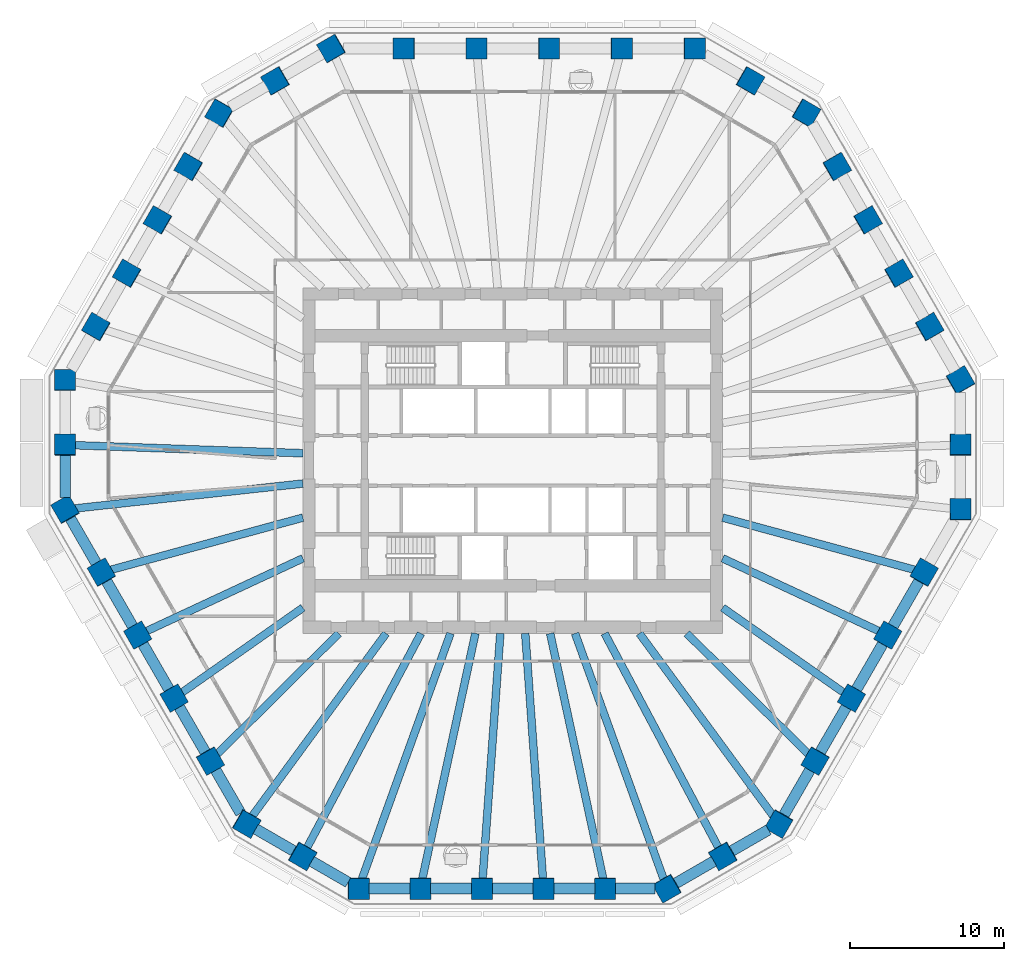
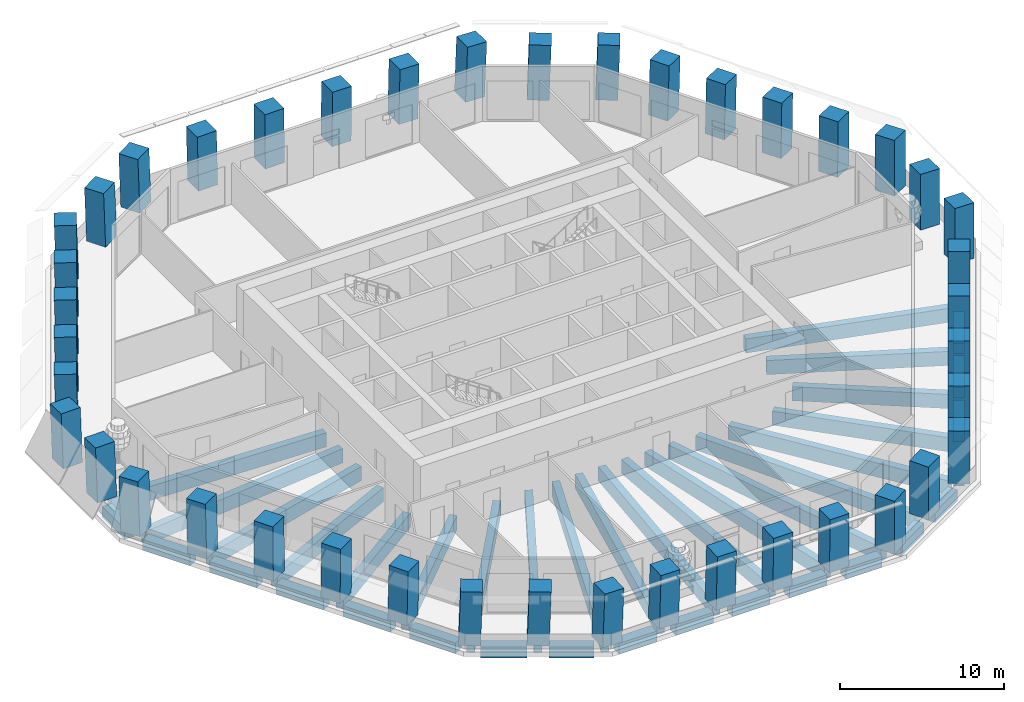
# One storey, part 1 of 13: 42 columns, 39 beams.
"""IFC4 building model written with IfcOpenShell, lengths in metres."""

from ifc_helpers import new_model, si_unit, direction, frame, origin, origin_2d, place, context, subcontext, project, spatial, rectangle, extrude, material, material_profile, profile_set, type_object, element, save


model = new_model("IFC4")

# Units and contexts
model_context = context("Model", 3, precision=1e-05, world=origin(), true_north=direction((0.0, 1.0)))
body_context = subcontext(model_context, "Body", "Model", "MODEL_VIEW")
ifc_project = project(units=[si_unit("LENGTHUNIT", "METRE"), si_unit("AREAUNIT", "SQUARE_METRE"), si_unit("VOLUMEUNIT", "CUBIC_METRE"), si_unit("PLANEANGLEUNIT", "RADIAN"), si_unit("MASSUNIT", "GRAM", prefix="KILO")], contexts=[model_context])

# Site, building, storey
site_placement = place(None, origin())
site = spatial("IfcSite", under=ifc_project, at=site_placement, CompositionType="ELEMENT")
building_placement = place(site_placement, origin())
building = spatial("IfcBuilding", under=site, at=building_placement, Name="Frailejon Research Tower", CompositionType="ELEMENT")
storey_placement = place(building_placement, frame((0.0, 0.0, 113.199951171875)))
storey = spatial("IfcBuildingStorey", under=building, at=storey_placement, Name="L24", CompositionType="ELEMENT", Elevation=113.199951171875)

# Columns
ifc_material_1 = material(Name="Concrete C70/85", Category="concrete")
ifc_material_profile_1 = material_profile(ifc_material_1, rectangle(XDim=1.35009765625, YDim=1.35009765625, at=origin_2d()), Name="Column 1350")
ifc_profile_set_1 = profile_set([ifc_material_profile_1], Name="Concrete C70/85")
column_type = type_object("IfcColumnType", Name="Column 1350", PredefinedType="COLUMN", material=ifc_profile_set_1)
for number, where, z_axis, x_axis, name in (
    (1, (29.000732421875, -3.16943359375, 0.0), (0.018132595726, 0.031445896907, 0.999340965106), (-0.000852885111, 0.999505415626, -0.031435596392), "Column C01"),
    (2, (29.000732421875, 1.018310546875, 0.0), (0.018132630042, 0.031385715123, 0.999342856388), (-2.2275817e-05, 0.999507197449, -0.031390472292), "Column C02"),
    (3, (29.000732421875, 5.205810546875, 0.0), (0.018132630042, 0.031385715123, 0.999342856388), (-0.499938597704, 0.865871218169, -0.018122694964), "Column C03"),
):
    element("IfcColumn", number, at=place(storey_placement, frame(where, z_axis=z_axis, x_axis=x_axis)), inside=storey, type_object=column_type, Name=name, PredefinedType="COLUMN", context=body_context, shape_type="SweptSolid", body=[
        extrude(rectangle(XDim=1.35009765625, YDim=1.35009765625, at=origin_2d()), origin(), (0.0, 0.0, 1.0), 4.052734375),
    ])
column_1_placement = place(storey_placement, frame((27.002197265625, 8.6669921875, 0.0), z_axis=(0.021809609218, 0.025123223878, 0.999446429063), x_axis=(-0.499316957517, 0.86635106376, -0.010881647777)))
element("IfcColumn", 4, at=column_1_placement, inside=storey, type_object=column_type, Name="Column C04", PredefinedType="COLUMN", context=body_context, shape_type="SweptSolid", body=[
    extrude(rectangle(XDim=1.35009765625, YDim=1.35009765625, at=origin_2d()), origin(), (0.0, 0.0, 1.0), 4.05224609375),
])
for number, where, z_axis, x_axis, name in (
    (5, (25.00390625, 12.12841796875, 0.0), (0.025365582388, 0.018858497119, 0.999500347332), (-0.500321526885, 0.865832042738, -0.003639162491), "Column C05"),
    (6, (23.005615234375, 15.58984375, 0.0), (0.028980660531, 0.012532177527, 0.999501408624), (-0.499450496938, 0.866334867635, 0.003619147421), "Column C06"),
):
    element("IfcColumn", number, at=place(storey_placement, frame(where, z_axis=z_axis, x_axis=x_axis)), inside=storey, type_object=column_type, Name=name, PredefinedType="COLUMN", context=body_context, shape_type="SweptSolid", body=[
        extrude(rectangle(XDim=1.35009765625, YDim=1.35009765625, at=origin_2d()), origin(), (0.0, 0.0, 1.0), 4.052001953125),
    ])
column_2_placement = place(storey_placement, frame((21.007080078125, 19.051025390625, 0.0), z_axis=(0.032654174822, 0.006325993277, 0.999446690262), x_axis=(-0.500478631698, 0.865680616164, 0.010872442804)))
element("IfcColumn", 7, at=column_2_placement, inside=storey, type_object=column_type, Name="Column C07", PredefinedType="COLUMN", context=body_context, shape_type="SweptSolid", body=[
    extrude(rectangle(XDim=1.35009765625, YDim=1.35009765625, at=origin_2d()), origin(), (0.0, 0.0, 1.0), 4.05224609375),
])
for number, where, z_axis, x_axis, name in (
    (8, (19.0087890625, 22.512451171875, 0.0), (0.036205074038, 0.0, 0.999344381389), (-0.865315435316, 0.500246354177, 0.031349362627), "Column C08"),
    (9, (15.382080078125, 24.606201171875, 0.0), (0.036265236264, 0.0, 0.999342199969), (-0.865313546461, 0.500246354177, 0.031401456084), "Column C09"),
    (10, (11.755615234375, 26.699951171875, 0.0), (0.036265236264, 0.0, 0.999342199969), (-0.999342199969, 0.0, 0.036265236264), "Column C10"),
):
    element("IfcColumn", number, at=place(storey_placement, frame(where, z_axis=z_axis, x_axis=x_axis)), inside=storey, type_object=column_type, Name=name, PredefinedType="COLUMN", context=body_context, shape_type="SweptSolid", body=[
        extrude(rectangle(XDim=1.35009765625, YDim=1.35009765625, at=origin_2d()), origin(), (0.0, 0.0, 1.0), 4.052734375),
    ])
column_3_placement = place(storey_placement, frame((7.053466796875, 26.699951171875, 0.0), z_axis=(0.021756257337, 0.0, 0.999763304621), x_axis=(-0.999763304621, 0.0, 0.021756257337)))
element("IfcColumn", 11, at=column_3_placement, inside=storey, type_object=column_type, Name="Column C11", PredefinedType="COLUMN", context=body_context, shape_type="SweptSolid", body=[
    extrude(rectangle(XDim=1.35009765625, YDim=1.35009765625, at=origin_2d()), origin(), (0.0, 0.0, 1.0), 4.051025390625),
])
for number, where, z_axis, x_axis, name in (
    (12, (2.35107421875, 26.699951171875, 0.0), (0.007293795973, 0.0, 0.999973399916), (-0.999973399916, 0.0, 0.007293795973), "Column C12"),
    (13, (-2.35107421875, 26.699951171875, 0.0), (-0.007293795973, 0.0, 0.999973399916), (-0.999973399916, 0.0, -0.007293795973), "Column C13"),
):
    element("IfcColumn", number, at=place(storey_placement, frame(where, z_axis=z_axis, x_axis=x_axis)), inside=storey, type_object=column_type, Name=name, PredefinedType="COLUMN", context=body_context, shape_type="SweptSolid", body=[
        extrude(rectangle(XDim=1.35009765625, YDim=1.35009765625, at=origin_2d()), origin(), (0.0, 0.0, 1.0), 4.050048828125),
    ])
column_4_placement = place(storey_placement, frame((-7.053466796875, 26.699951171875, 0.0), z_axis=(-0.021756257337, 0.0, 0.999763304621), x_axis=(-0.999763304621, 0.0, -0.021756257337)))
element("IfcColumn", 14, at=column_4_placement, inside=storey, type_object=column_type, Name="Column C14", PredefinedType="COLUMN", context=body_context, shape_type="SweptSolid", body=[
    extrude(rectangle(XDim=1.35009765625, YDim=1.35009765625, at=origin_2d()), origin(), (0.0, 0.0, 1.0), 4.051025390625),
])
for number, where, z_axis, x_axis, name in (
    (15, (-11.755615234375, 26.699951171875, 0.0), (-0.036265236264, 0.0, 0.999342199969), (-0.865313546461, -0.500246354177, -0.031401456084), "Column C15"),
    (16, (-15.382080078125, 24.606201171875, 0.0), (-0.036265236264, 0.0, 0.999342199969), (-0.865313546461, -0.500246354177, -0.031401456084), "Column C16"),
    (17, (-19.0087890625, 22.512451171875, 0.0), (-0.036205074038, 0.0, 0.999344381389), (-0.499425957592, -0.866167613071, -0.018093616283), "Column C17"),
):
    element("IfcColumn", number, at=place(storey_placement, frame(where, z_axis=z_axis, x_axis=x_axis)), inside=storey, type_object=column_type, Name=name, PredefinedType="COLUMN", context=body_context, shape_type="SweptSolid", body=[
        extrude(rectangle(XDim=1.35009765625, YDim=1.35009765625, at=origin_2d()), origin(), (0.0, 0.0, 1.0), 4.052734375),
    ])
column_5_placement = place(storey_placement, frame((-21.007080078125, 19.051025390625, 0.0), z_axis=(-0.032654174822, 0.006325993277, 0.999446690262), x_axis=(-0.500478631698, -0.865680616164, -0.010872442804)))
element("IfcColumn", 18, at=column_5_placement, inside=storey, type_object=column_type, Name="Column C18", PredefinedType="COLUMN", context=body_context, shape_type="SweptSolid", body=[
    extrude(rectangle(XDim=1.35009765625, YDim=1.35009765625, at=origin_2d()), origin(), (0.0, 0.0, 1.0), 4.05224609375),
])
for number, where, z_axis, x_axis, name in (
    (19, (-23.005615234375, 15.58984375, 0.0), (-0.028980660531, 0.012532177527, 0.999501408624), (-0.499450496938, -0.866334867635, -0.003619147421), "Column C19"),
    (20, (-25.00390625, 12.12841796875, 0.0), (-0.025365582388, 0.018858497119, 0.999500347332), (-0.500321526885, -0.865832042738, 0.003639162491), "Column C20"),
):
    element("IfcColumn", number, at=place(storey_placement, frame(where, z_axis=z_axis, x_axis=x_axis)), inside=storey, type_object=column_type, Name=name, PredefinedType="COLUMN", context=body_context, shape_type="SweptSolid", body=[
        extrude(rectangle(XDim=1.35009765625, YDim=1.35009765625, at=origin_2d()), origin(), (0.0, 0.0, 1.0), 4.052001953125),
    ])
column_6_placement = place(storey_placement, frame((-27.002197265625, 8.6669921875, 0.0), z_axis=(-0.021809609218, 0.025123223878, 0.999446429063), x_axis=(-0.499316957517, -0.86635106376, 0.010881647777)))
element("IfcColumn", 21, at=column_6_placement, inside=storey, type_object=column_type, Name="Column C21", PredefinedType="COLUMN", context=body_context, shape_type="SweptSolid", body=[
    extrude(rectangle(XDim=1.35009765625, YDim=1.35009765625, at=origin_2d()), origin(), (0.0, 0.0, 1.0), 4.05224609375),
])
for number, where, z_axis, x_axis, name in (
    (22, (-29.000732421875, 5.205810546875, 0.0), (-0.018132630042, 0.031385715123, 0.999342856388), (-2.2275817e-05, -0.999507197449, 0.031390472292), "Column C22"),
    (23, (-29.000732421875, 1.018310546875, 0.0), (-0.018132630042, 0.031385715123, 0.999342856388), (-2.2275817e-05, -0.999507197449, 0.031390472292), "Column C23"),
    (24, (-29.000732421875, -3.16943359375, 0.0), (-0.018132595726, 0.031445896907, 0.999340965106), (0.499425428362, -0.865596098728, 0.036299247542), "Column C24"),
):
    element("IfcColumn", number, at=place(storey_placement, frame(where, z_axis=z_axis, x_axis=x_axis)), inside=storey, type_object=column_type, Name=name, PredefinedType="COLUMN", context=body_context, shape_type="SweptSolid", body=[
        extrude(rectangle(XDim=1.35009765625, YDim=1.35009765625, at=origin_2d()), origin(), (0.0, 0.0, 1.0), 4.052734375),
    ])
column_7_placement = place(storey_placement, frame((-26.649658203125, -7.24169921875, 0.0), z_axis=(-0.010847994403, 0.018863456933, 0.999763217472), x_axis=(0.498562459177, -0.866580616749, 0.02176026136)))
element("IfcColumn", 25, at=column_7_placement, inside=storey, type_object=column_type, Name="Column C25", PredefinedType="COLUMN", context=body_context, shape_type="SweptSolid", body=[
    extrude(rectangle(XDim=1.35009765625, YDim=1.35009765625, at=origin_2d()), origin(), (0.0, 0.0, 1.0), 4.051025390625),
])
for number, where, z_axis, x_axis, name in (
    (26, (-24.29833984375, -11.31396484375, 0.0), (-0.003616758439, 0.006329327268, 0.999973428984), (0.495951477881, -0.868319636001, 0.00728980954), "Column C26"),
    (27, (-21.947265625, -15.385986328125, 0.0), (0.003616758439, -0.006329327268, 0.999973428984), (0.498304806076, -0.866971267835, -0.007289786695), "Column C27"),
):
    element("IfcColumn", number, at=place(storey_placement, frame(where, z_axis=z_axis, x_axis=x_axis)), inside=storey, type_object=column_type, Name=name, PredefinedType="COLUMN", context=body_context, shape_type="SweptSolid", body=[
        extrude(rectangle(XDim=1.35009765625, YDim=1.35009765625, at=origin_2d()), origin(), (0.0, 0.0, 1.0), 4.050048828125),
    ])
column_8_placement = place(storey_placement, frame((-19.59619140625, -19.45849609375, 0.0), z_axis=(0.010908253887, -0.018863444567, 0.99976256204), x_axis=(0.500638377412, -0.865382225109, -0.021790354016)))
element("IfcColumn", 28, at=column_8_placement, inside=storey, type_object=column_type, Name="Column C28", PredefinedType="COLUMN", context=body_context, shape_type="SweptSolid", body=[
    extrude(rectangle(XDim=1.35009765625, YDim=1.35009765625, at=origin_2d()), origin(), (0.0, 0.0, 1.0), 4.051025390625),
])
for number, where, z_axis, x_axis, name in (
    (29, (-17.2451171875, -23.530517578125, 0.0), (0.018132595726, -0.031445896907, 0.999340965106), (0.865469370655, -0.499974541214, -0.031436071558), "Column C29"),
    (30, (-13.618408203125, -25.62451171875, 0.0), (0.018132630042, -0.031385715123, 0.999342856388), (0.866156195426, -0.498787200508, -0.031381104725), "Column C30"),
    (31, (-9.991943359375, -27.71826171875, 0.0), (0.018132630042, -0.031385715123, 0.999342856388), (0.999835440934, 0.001115627466, -0.018106529978), "Column C31"),
):
    element("IfcColumn", number, at=place(storey_placement, frame(where, z_axis=z_axis, x_axis=x_axis)), inside=storey, type_object=column_type, Name=name, PredefinedType="COLUMN", context=body_context, shape_type="SweptSolid", body=[
        extrude(rectangle(XDim=1.35009765625, YDim=1.35009765625, at=origin_2d()), origin(), (0.0, 0.0, 1.0), 4.052734375),
    ])
column_9_placement = place(storey_placement, frame((-5.9951171875, -27.71826171875, 0.0), z_axis=(0.010844578562, -0.031389030172, 0.999448409824), x_axis=(0.999940901456, -0.000426521309, -0.010863317853)))
element("IfcColumn", 32, at=column_9_placement, inside=storey, type_object=column_type, Name="Column C32", PredefinedType="COLUMN", context=body_context, shape_type="SweptSolid", body=[
    extrude(rectangle(XDim=1.35009765625, YDim=1.35009765625, at=origin_2d()), origin(), (0.0, 0.0, 1.0), 4.05224609375),
])
for number, where, z_axis, x_axis, name in (
    (33, (-1.998291015625, -27.71826171875, 0.0), (0.00361504848, -0.031390670968, 0.999500653927), (0.999993330164, -0.00040689317, -0.003629609449), "Column C33"),
    (34, (1.998291015625, -27.71826171875, 0.0), (-0.00361504848, -0.031390670968, 0.999500653927), (0.999993330164, 0.00040689317, 0.003629609449), "Column C34"),
):
    element("IfcColumn", number, at=place(storey_placement, frame(where, z_axis=z_axis, x_axis=x_axis)), inside=storey, type_object=column_type, Name=name, PredefinedType="COLUMN", context=body_context, shape_type="SweptSolid", body=[
        extrude(rectangle(XDim=1.35009765625, YDim=1.35009765625, at=origin_2d()), origin(), (0.0, 0.0, 1.0), 4.052001953125),
    ])
column_10_placement = place(storey_placement, frame((5.9951171875, -27.71826171875, 0.0), z_axis=(-0.010844578562, -0.031389030172, 0.999448409824), x_axis=(0.999940901456, 0.000426521309, 0.010863317853)))
element("IfcColumn", 35, at=column_10_placement, inside=storey, type_object=column_type, Name="Column C35", PredefinedType="COLUMN", context=body_context, shape_type="SweptSolid", body=[
    extrude(rectangle(XDim=1.35009765625, YDim=1.35009765625, at=origin_2d()), origin(), (0.0, 0.0, 1.0), 4.05224609375),
])
for number, where, z_axis, x_axis, name in (
    (36, (9.991943359375, -27.71826171875, 0.0), (-0.018132630042, -0.031385715123, 0.999342856388), (0.866156195426, 0.498787200508, 0.031381104725), "Column C36"),
    (37, (13.618408203125, -25.62451171875, 0.0), (-0.018132630042, -0.031385715123, 0.999342856388), (0.866156195426, 0.498787200508, 0.031381104725), "Column C37"),
    (38, (17.2451171875, -23.530517578125, 0.0), (-0.018132595726, -0.031445896907, 0.999340965106), (0.498955201563, 0.865867236636, 0.036299247284), "Column C38"),
):
    element("IfcColumn", number, at=place(storey_placement, frame(where, z_axis=z_axis, x_axis=x_axis)), inside=storey, type_object=column_type, Name=name, PredefinedType="COLUMN", context=body_context, shape_type="SweptSolid", body=[
        extrude(rectangle(XDim=1.35009765625, YDim=1.35009765625, at=origin_2d()), origin(), (0.0, 0.0, 1.0), 4.052734375),
    ])
column_11_placement = place(storey_placement, frame((19.59619140625, -19.45849609375, 0.0), z_axis=(-0.010908253887, -0.018863444567, 0.99976256204), x_axis=(0.500638377412, 0.865382225109, 0.021790354016)))
element("IfcColumn", 39, at=column_11_placement, inside=storey, type_object=column_type, Name="Column C39", PredefinedType="COLUMN", context=body_context, shape_type="SweptSolid", body=[
    extrude(rectangle(XDim=1.35009765625, YDim=1.35009765625, at=origin_2d()), origin(), (0.0, 0.0, 1.0), 4.051025390625),
])
for number, where, z_axis, x_axis, name in (
    (40, (21.947265625, -15.385986328125, 0.0), (-0.003616758439, -0.006329327268, 0.999973428984), (0.498304806076, 0.866971267835, 0.007289786695), "Column C40"),
    (41, (24.29833984375, -11.31396484375, 0.0), (0.003616758439, 0.006329327268, 0.999973428984), (0.495951477881, 0.868319636001, -0.00728980954), "Column C41"),
):
    element("IfcColumn", number, at=place(storey_placement, frame(where, z_axis=z_axis, x_axis=x_axis)), inside=storey, type_object=column_type, Name=name, PredefinedType="COLUMN", context=body_context, shape_type="SweptSolid", body=[
        extrude(rectangle(XDim=1.35009765625, YDim=1.35009765625, at=origin_2d()), origin(), (0.0, 0.0, 1.0), 4.050048828125),
    ])
column_12_placement = place(storey_placement, frame((26.649658203125, -7.24169921875, 0.0), z_axis=(0.010847994403, 0.018863456933, 0.999763217472), x_axis=(0.498562459177, 0.866580616749, -0.02176026136)))
element("IfcColumn", 42, at=column_12_placement, inside=storey, type_object=column_type, Name="Column C42", PredefinedType="COLUMN", context=body_context, shape_type="SweptSolid", body=[
    extrude(rectangle(XDim=1.35009765625, YDim=1.35009765625, at=origin_2d()), origin(), (0.0, 0.0, 1.0), 4.051025390625),
])

# Beams
ifc_material_2 = material(Name="Concrete C60/75", Category="concrete")
ifc_material_profile_2 = material_profile(ifc_material_2, rectangle(XDim=0.5, YDim=1.050048828125, at=origin_2d()), Name="Girder 500x1050")
ifc_profile_set_2 = profile_set([ifc_material_profile_2], Name="Concrete C60/75")
beam_type_1 = type_object("IfcBeamType", Name="Girder 500x1050", PredefinedType="BEAM", material=ifc_profile_set_2)
beam_1_placement = place(storey_placement, frame((-28.4755859375, 0.999755859375, -0.824951171875), z_axis=(0.999384358315, -0.035084246552, 0.0), x_axis=(0.035084246552, 0.999384358315, 0.0)))
element("IfcBeam", 43, at=beam_1_placement, inside=storey, type_object=beam_type_1, Name="Girder 500x1050", PredefinedType="BEAM", context=body_context, shape_type="SweptSolid", body=[
    extrude(rectangle(XDim=0.5, YDim=1.050048828125, at=origin_2d()), origin(), (0.0, 0.0, 1.0), 14.884765625),
])
beam_2_placement = place(storey_placement, frame((-28.41650390625, -3.105712890625, -0.824951171875), z_axis=(0.994080098193, 0.108649704906, 0.0), x_axis=(-0.108649704906, 0.994080098193, 0.0)))
element("IfcBeam", 44, at=beam_2_placement, inside=storey, type_object=beam_type_1, Name="Girder 500x1050", PredefinedType="BEAM", context=body_context, shape_type="SweptSolid", body=[
    extrude(rectangle(XDim=0.5, YDim=1.050048828125, at=origin_2d()), origin(), (0.0, 0.0, 1.0), 14.904541015625),
])
beam_3_placement = place(storey_placement, frame((-26.12060546875, -7.097900390625, -0.824951171875), z_axis=(0.965004850121, 0.262232033213, 0.0), x_axis=(-0.262232033213, 0.965004850121, 0.0)))
element("IfcBeam", 45, at=beam_3_placement, inside=storey, type_object=beam_type_1, Name="Girder 500x1050", PredefinedType="BEAM", context=body_context, shape_type="SweptSolid", body=[
    extrude(rectangle(XDim=0.5, YDim=1.050048828125, at=origin_2d()), origin(), (0.0, 0.0, 1.0), 12.974609375),
])
beam_4_placement = place(storey_placement, frame((-23.820068359375, -11.09130859375, -0.824951171875), z_axis=(0.906540771237, 0.42211826552, 0.0), x_axis=(-0.42211826552, 0.906540771237, 0.0)))
element("IfcBeam", 46, at=beam_4_placement, inside=storey, type_object=beam_type_1, Name="Girder 500x1050", PredefinedType="BEAM", context=body_context, shape_type="SweptSolid", body=[
    extrude(rectangle(XDim=0.5, YDim=1.050048828125, at=origin_2d()), origin(), (0.0, 0.0, 1.0), 11.273681640625),
])
beam_5_placement = place(storey_placement, frame((-21.515380859375, -15.083251953125, -0.824951171875), z_axis=(0.818824736677, 0.574043596433, 0.0), x_axis=(-0.574043596433, 0.818824736677, 0.0)))
element("IfcBeam", 47, at=beam_5_placement, inside=storey, type_object=beam_type_1, Name="Girder 500x1050", PredefinedType="BEAM", context=body_context, shape_type="SweptSolid", body=[
    extrude(rectangle(XDim=0.5, YDim=1.050048828125, at=origin_2d()), origin(), (0.0, 0.0, 1.0), 9.666748046875),
])
beam_6_placement = place(storey_placement, frame((-19.207275390625, -19.072265625, -0.824951171875), z_axis=(0.709593498337, 0.704611287958, 0.0), x_axis=(-0.704611287958, 0.709593498337, 0.0)))
element("IfcBeam", 48, at=beam_6_placement, inside=storey, type_object=beam_type_1, Name="Girder 500x1050", PredefinedType="BEAM", context=body_context, shape_type="SweptSolid", body=[
    extrude(rectangle(XDim=0.5, YDim=1.050048828125, at=origin_2d()), origin(), (0.0, 0.0, 1.0), 11.172607421875),
])
beam_7_placement = place(storey_placement, frame((-16.932373046875, -23.10400390625, -0.824951171875), z_axis=(0.591120523148, 0.806583242519, 0.0), x_axis=(-0.806583242519, 0.591120523148, 0.0)))
element("IfcBeam", 49, at=beam_7_placement, inside=storey, type_object=beam_type_1, Name="Girder 500x1050", PredefinedType="BEAM", context=body_context, shape_type="SweptSolid", body=[
    extrude(rectangle(XDim=0.5, YDim=1.050048828125, at=origin_2d()), origin(), (0.0, 0.0, 1.0), 14.758544921875),
])
beam_8_placement = place(storey_placement, frame((-13.371826171875, -25.160400390625, -0.824951171875), z_axis=(0.469300495278, 0.883038529812, 0.0), x_axis=(-0.883038529812, 0.469300495278, 0.0)))
element("IfcBeam", 50, at=beam_8_placement, inside=storey, type_object=beam_type_1, Name="Girder 500x1050", PredefinedType="BEAM", context=body_context, shape_type="SweptSolid", body=[
    extrude(rectangle(XDim=0.5, YDim=1.050048828125, at=origin_2d()), origin(), (0.0, 0.0, 1.0), 15.8095703125),
])
beam_9_placement = place(storey_placement, frame((-9.799560546875, -27.184326171875, -0.824951171875), z_axis=(0.339127496275, 0.940740421833, 0.0), x_axis=(-0.940740421833, 0.339127496275, 0.0)))
element("IfcBeam", 51, at=beam_9_placement, inside=storey, type_object=beam_type_1, Name="Girder 500x1050", PredefinedType="BEAM", context=body_context, shape_type="SweptSolid", body=[
    extrude(rectangle(XDim=0.5, YDim=1.050048828125, at=origin_2d()), origin(), (0.0, 0.0, 1.0), 16.9912109375),
])
beam_10_placement = place(storey_placement, frame((-5.880859375, -27.189697265625, -0.824951171875), z_axis=(0.21139174684, 0.9774014167, 0.0), x_axis=(-0.9774014167, 0.21139174684, 0.0)))
element("IfcBeam", 52, at=beam_10_placement, inside=storey, type_object=beam_type_1, Name="Girder 500x1050", PredefinedType="BEAM", context=body_context, shape_type="SweptSolid", body=[
    extrude(rectangle(XDim=0.5, YDim=1.050048828125, at=origin_2d()), origin(), (0.0, 0.0, 1.0), 16.359375),
])
for number, where, z_axis, x_axis, name in (
    (53, (-1.96044921875, -27.19287109375, -0.824951171875), (0.071897348954, 0.99741203683, 0.0), (-0.99741203683, 0.071897348954, 0.0), "Girder 500x1050"),
    (54, (1.96044921875, -27.19287109375, -0.824951171875), (-0.071897348954, 0.99741203683, 0.0), (-0.99741203683, -0.071897348954, 0.0), "Girder 500x1050"),
):
    element("IfcBeam", number, at=place(storey_placement, frame(where, z_axis=z_axis, x_axis=x_axis)), inside=storey, type_object=beam_type_1, Name=name, PredefinedType="BEAM", context=body_context, shape_type="SweptSolid", body=[
        extrude(rectangle(XDim=0.5, YDim=1.050048828125, at=origin_2d()), origin(), (0.0, 0.0, 1.0), 16.034423828125),
    ])
beam_11_placement = place(storey_placement, frame((5.880859375, -27.189697265625, -0.824951171875), z_axis=(-0.21139174684, 0.9774014167, 0.0), x_axis=(-0.9774014167, -0.21139174684, 0.0)))
element("IfcBeam", 55, at=beam_11_placement, inside=storey, type_object=beam_type_1, Name="Girder 500x1050", PredefinedType="BEAM", context=body_context, shape_type="SweptSolid", body=[
    extrude(rectangle(XDim=0.5, YDim=1.050048828125, at=origin_2d()), origin(), (0.0, 0.0, 1.0), 16.359375),
])
beam_12_placement = place(storey_placement, frame((9.810302734375, -27.214111328125, -0.824951171875), z_axis=(-0.339127752946, 0.940740329305, 0.0), x_axis=(-0.940740329305, -0.339127752946, 0.0)))
element("IfcBeam", 56, at=beam_12_placement, inside=storey, type_object=beam_type_1, Name="Girder 500x1050", PredefinedType="BEAM", context=body_context, shape_type="SweptSolid", body=[
    extrude(rectangle(XDim=0.5, YDim=1.050048828125, at=origin_2d()), origin(), (0.0, 0.0, 1.0), 17.02294921875),
])
beam_13_placement = place(storey_placement, frame((13.371826171875, -25.160400390625, -0.824951171875), z_axis=(-0.469300495278, 0.883038529812, 0.0), x_axis=(-0.883038529812, -0.469300495278, 0.0)))
element("IfcBeam", 57, at=beam_13_placement, inside=storey, type_object=beam_type_1, Name="Girder 500x1050", PredefinedType="BEAM", context=body_context, shape_type="SweptSolid", body=[
    extrude(rectangle(XDim=0.5, YDim=1.050048828125, at=origin_2d()), origin(), (0.0, 0.0, 1.0), 15.8095703125),
])
beam_14_placement = place(storey_placement, frame((16.897705078125, -23.056640625, -0.824951171875), z_axis=(-0.591122432891, 0.806581842923, 0.0), x_axis=(-0.806581842923, -0.591122432891, 0.0)))
element("IfcBeam", 58, at=beam_14_placement, inside=storey, type_object=beam_type_1, Name="Girder 500x1050", PredefinedType="BEAM", context=body_context, shape_type="SweptSolid", body=[
    extrude(rectangle(XDim=0.5, YDim=1.050048828125, at=origin_2d()), origin(), (0.0, 0.0, 1.0), 14.699951171875),
])
beam_15_placement = place(storey_placement, frame((19.207275390625, -19.072265625, -0.824951171875), z_axis=(-0.709593498337, 0.704611287958, 0.0), x_axis=(-0.704611287958, -0.709593498337, 0.0)))
element("IfcBeam", 59, at=beam_15_placement, inside=storey, type_object=beam_type_1, Name="Girder 500x1050", PredefinedType="BEAM", context=body_context, shape_type="SweptSolid", body=[
    extrude(rectangle(XDim=0.5, YDim=1.050048828125, at=origin_2d()), origin(), (0.0, 0.0, 1.0), 11.172607421875),
])
beam_16_placement = place(storey_placement, frame((21.515380859375, -15.083251953125, -0.824951171875), z_axis=(-0.818824736677, 0.574043596433, 0.0), x_axis=(-0.574043596433, -0.818824736677, 0.0)))
element("IfcBeam", 60, at=beam_16_placement, inside=storey, type_object=beam_type_1, Name="Girder 500x1050", PredefinedType="BEAM", context=body_context, shape_type="SweptSolid", body=[
    extrude(rectangle(XDim=0.5, YDim=1.050048828125, at=origin_2d()), origin(), (0.0, 0.0, 1.0), 9.666748046875),
])
beam_17_placement = place(storey_placement, frame((23.820068359375, -11.09130859375, -0.824951171875), z_axis=(-0.906540771237, 0.42211826552, 0.0), x_axis=(-0.42211826552, -0.906540771237, 0.0)))
element("IfcBeam", 61, at=beam_17_placement, inside=storey, type_object=beam_type_1, Name="Girder 500x1050", PredefinedType="BEAM", context=body_context, shape_type="SweptSolid", body=[
    extrude(rectangle(XDim=0.5, YDim=1.050048828125, at=origin_2d()), origin(), (0.0, 0.0, 1.0), 11.273681640625),
])
beam_18_placement = place(storey_placement, frame((26.12060546875, -7.097900390625, -0.824951171875), z_axis=(-0.965004850121, 0.262232033213, 0.0), x_axis=(-0.262232033213, -0.965004850121, 0.0)))
element("IfcBeam", 62, at=beam_18_placement, inside=storey, type_object=beam_type_1, Name="Girder 500x1050", PredefinedType="BEAM", context=body_context, shape_type="SweptSolid", body=[
    extrude(rectangle(XDim=0.5, YDim=1.050048828125, at=origin_2d()), origin(), (0.0, 0.0, 1.0), 12.974609375),
])
ifc_material_3 = material(Name="Concrete C60/75", Category="concrete")
ifc_material_profile_3 = material_profile(ifc_material_3, rectangle(XDim=0.699951171875, YDim=0.800048828125, at=origin_2d()), Name="Spandrel 700x800")
ifc_profile_set_3 = profile_set([ifc_material_profile_3], Name="Concrete C60/75")
beam_type_2 = type_object("IfcBeamType", Name="Spandrel 700x800", PredefinedType="BEAM", material=ifc_profile_set_3)
beam_19_placement = place(storey_placement, frame((-29.000732421875, 0.34326171875, -0.75), z_axis=(0.0, -1.0, 0.0), x_axis=(1.0, 0.0, 0.0)))
element("IfcBeam", 63, at=beam_19_placement, inside=storey, type_object=beam_type_2, Name="Spandrel 700x800", PredefinedType="BEAM", context=body_context, shape_type="SweptSolid", body=[
    extrude(rectangle(XDim=0.699951171875, YDim=0.800048828125, at=origin_2d()), origin(), (0.0, 0.0, 1.0), 2.733154296875),
])
for number, where, z_axis, x_axis, name in (
    (64, (-28.6630859375, -3.75390625, -0.75), (0.499985139611, -0.866033983264, 0.0), (0.866033983264, 0.499985139611, 0.0), "Spandrel 700x800"),
    (65, (-26.31201171875, -7.826171875, -0.75), (0.499985139611, -0.866033983264, 0.0), (0.866033983264, 0.499985139611, 0.0), "Spandrel 700x800"),
    (66, (-23.9609375, -11.8984375, -0.75), (0.499985139611, -0.866033983264, 0.0), (0.866033983264, 0.499985139611, 0.0), "Spandrel 700x800"),
):
    element("IfcBeam", number, at=place(storey_placement, frame(where, z_axis=z_axis, x_axis=x_axis)), inside=storey, type_object=beam_type_2, Name=name, PredefinedType="BEAM", context=body_context, shape_type="SweptSolid", body=[
        extrude(rectangle(XDim=0.699951171875, YDim=0.800048828125, at=origin_2d()), origin(), (0.0, 0.0, 1.0), 3.35205078125),
    ])
beam_20_placement = place(storey_placement, frame((-21.60986328125, -15.970703125, -0.75), z_axis=(0.500039760995, -0.866002446546, 0.0), x_axis=(0.866002446546, 0.500039760995, 0.0)))
element("IfcBeam", 67, at=beam_20_placement, inside=storey, type_object=beam_type_2, Name="Spandrel 700x800", PredefinedType="BEAM", context=body_context, shape_type="SweptSolid", body=[
    extrude(rectangle(XDim=0.699951171875, YDim=0.800048828125, at=origin_2d()), origin(), (0.0, 0.0, 1.0), 3.352294921875),
])
beam_21_placement = place(storey_placement, frame((-19.2587890625, -20.04296875, -0.75), z_axis=(0.500019593356, -0.866014091259, 0.0), x_axis=(0.866014091259, 0.500019593356, 0.0)))
element("IfcBeam", 68, at=beam_21_placement, inside=storey, type_object=beam_type_2, Name="Spandrel 700x800", PredefinedType="BEAM", context=body_context, shape_type="SweptSolid", body=[
    extrude(rectangle(XDim=0.699951171875, YDim=0.800048828125, at=origin_2d()), origin(), (0.0, 0.0, 1.0), 3.247802734375),
])
beam_22_placement = place(storey_placement, frame((-16.660400390625, -23.8681640625, -0.75), z_axis=(0.866026538634, -0.499998034377, 0.0), x_axis=(0.499998034377, 0.866026538634, 0.0)))
element("IfcBeam", 69, at=beam_22_placement, inside=storey, type_object=beam_type_2, Name="Spandrel 700x800", PredefinedType="BEAM", context=body_context, shape_type="SweptSolid", body=[
    extrude(rectangle(XDim=0.699951171875, YDim=0.800048828125, at=origin_2d()), origin(), (0.0, 0.0, 1.0), 2.83740234375),
])
beam_23_placement = place(storey_placement, frame((-13.033935546875, -25.9619140625, -0.75), z_axis=(0.866002615699, -0.500039468044, 0.0), x_axis=(0.500039468044, 0.866002615699, 0.0)))
element("IfcBeam", 70, at=beam_23_placement, inside=storey, type_object=beam_type_2, Name="Spandrel 700x800", PredefinedType="BEAM", context=body_context, shape_type="SweptSolid", body=[
    extrude(rectangle(XDim=0.699951171875, YDim=0.800048828125, at=origin_2d()), origin(), (0.0, 0.0, 1.0), 2.733154296875),
])
beam_24_placement = place(storey_placement, frame((-9.31689453125, -27.71826171875, -0.75), z_axis=(1.0, 0.0, 0.0), x_axis=(0.0, 1.0, 0.0)))
element("IfcBeam", 71, at=beam_24_placement, inside=storey, type_object=beam_type_2, Name="Spandrel 700x800", PredefinedType="BEAM", context=body_context, shape_type="SweptSolid", body=[
    extrude(rectangle(XDim=0.699951171875, YDim=0.800048828125, at=origin_2d()), origin(), (0.0, 0.0, 1.0), 2.646728515625),
])
for number, where, z_axis, x_axis, name in (
    (72, (-5.3203125, -27.71826171875, -0.75), (1.0, 0.0, 0.0), (0.0, 1.0, 0.0), "Spandrel 700x800"),
    (73, (-1.323486328125, -27.71826171875, -0.75), (1.0, 0.0, 0.0), (0.0, 1.0, 0.0), "Spandrel 700x800"),
    (74, (2.67333984375, -27.71826171875, -0.75), (1.0, 0.0, 0.0), (0.0, 1.0, 0.0), "Spandrel 700x800"),
):
    element("IfcBeam", number, at=place(storey_placement, frame(where, z_axis=z_axis, x_axis=x_axis)), inside=storey, type_object=beam_type_2, Name=name, PredefinedType="BEAM", context=body_context, shape_type="SweptSolid", body=[
        extrude(rectangle(XDim=0.699951171875, YDim=0.800048828125, at=origin_2d()), origin(), (0.0, 0.0, 1.0), 2.64697265625),
    ])
beam_25_placement = place(storey_placement, frame((6.670166015625, -27.71826171875, -0.75), z_axis=(1.0, 0.0, 0.0), x_axis=(0.0, 1.0, 0.0)))
element("IfcBeam", 75, at=beam_25_placement, inside=storey, type_object=beam_type_2, Name="Spandrel 700x800", PredefinedType="BEAM", context=body_context, shape_type="SweptSolid", body=[
    extrude(rectangle(XDim=0.699951171875, YDim=0.800048828125, at=origin_2d()), origin(), (0.0, 0.0, 1.0), 2.54248046875),
])
beam_26_placement = place(storey_placement, frame((10.57666015625, -27.380615234375, -0.75), z_axis=(0.866026538634, 0.499998034377, 0.0), x_axis=(-0.499998034377, 0.866026538634, 0.0)))
element("IfcBeam", 76, at=beam_26_placement, inside=storey, type_object=beam_type_2, Name="Spandrel 700x800", PredefinedType="BEAM", context=body_context, shape_type="SweptSolid", body=[
    extrude(rectangle(XDim=0.699951171875, YDim=0.800048828125, at=origin_2d()), origin(), (0.0, 0.0, 1.0), 2.83740234375),
])
beam_27_placement = place(storey_placement, frame((14.203125, -25.286865234375, -0.75), z_axis=(0.866041295585, 0.499972473583, 0.0), x_axis=(-0.499972473583, 0.866041295585, 0.0)))
element("IfcBeam", 77, at=beam_27_placement, inside=storey, type_object=beam_type_2, Name="Spandrel 700x800", PredefinedType="BEAM", context=body_context, shape_type="SweptSolid", body=[
    extrude(rectangle(XDim=0.699951171875, YDim=0.800048828125, at=origin_2d()), origin(), (0.0, 0.0, 1.0), 2.733154296875),
])
for number, where, z_axis, x_axis, name in (
    (78, (17.58251953125, -22.946044921875, -0.75), (0.500039760995, 0.866002446546, 0.0), (-0.866002446546, 0.500039760995, 0.0), "Spandrel 700x800"),
    (79, (19.93359375, -18.873779296875, -0.75), (0.500039760995, 0.866002446546, 0.0), (-0.866002446546, 0.500039760995, 0.0), "Spandrel 700x800"),
):
    element("IfcBeam", number, at=place(storey_placement, frame(where, z_axis=z_axis, x_axis=x_axis)), inside=storey, type_object=beam_type_2, Name=name, PredefinedType="BEAM", context=body_context, shape_type="SweptSolid", body=[
        extrude(rectangle(XDim=0.699951171875, YDim=0.800048828125, at=origin_2d()), origin(), (0.0, 0.0, 1.0), 3.352294921875),
    ])
for number, where, z_axis, x_axis, name in (
    (80, (22.284912109375, -14.801513671875, -0.75), (0.499985139611, 0.866033983264, 0.0), (-0.866033983264, 0.499985139611, 0.0), "Spandrel 700x800"),
    (81, (24.635986328125, -10.729248046875, -0.75), (0.499985139611, 0.866033983264, 0.0), (-0.866033983264, 0.499985139611, 0.0), "Spandrel 700x800"),
):
    element("IfcBeam", number, at=place(storey_placement, frame(where, z_axis=z_axis, x_axis=x_axis)), inside=storey, type_object=beam_type_2, Name=name, PredefinedType="BEAM", context=body_context, shape_type="SweptSolid", body=[
        extrude(rectangle(XDim=0.699951171875, YDim=0.800048828125, at=origin_2d()), origin(), (0.0, 0.0, 1.0), 3.35205078125),
    ])

save(model, "model.ifc")
